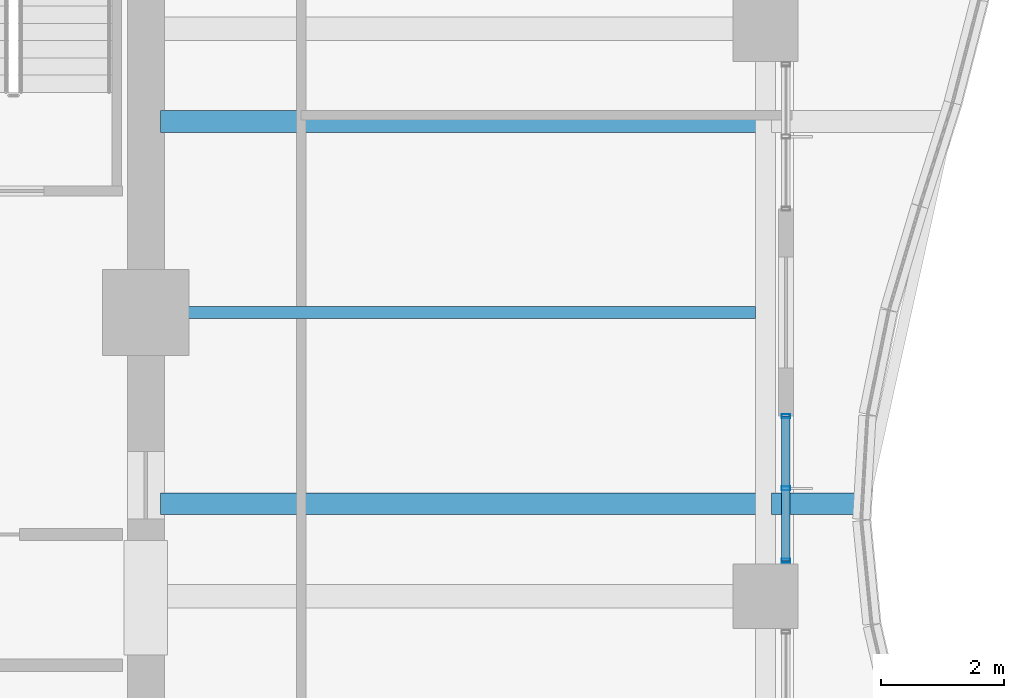
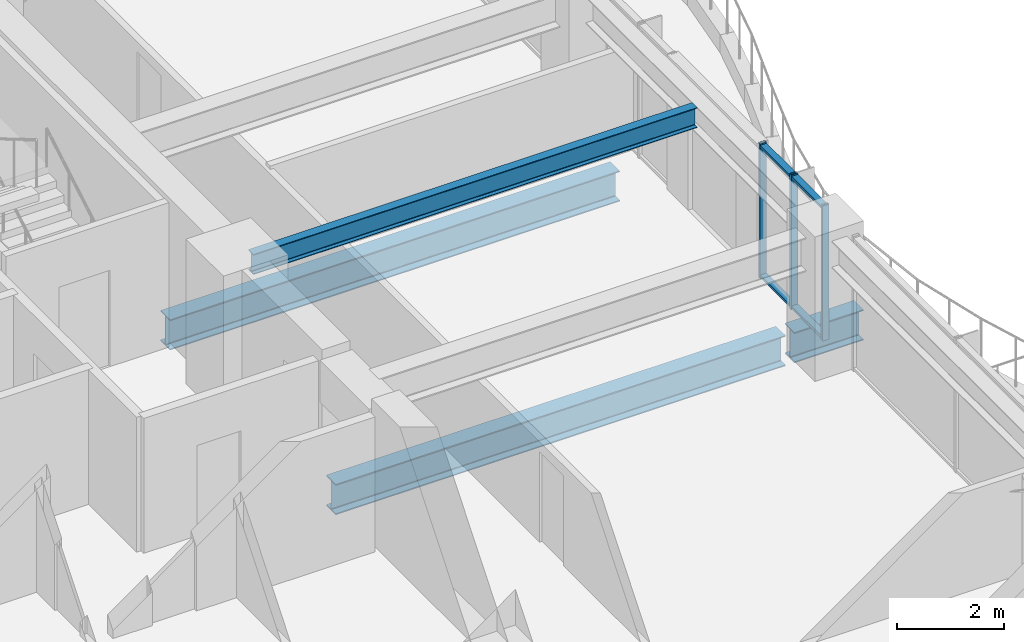
# One storey, part 16 of 36: 5 members, 4 beams, 1 element without a shape of its own.
"""IFC4 building model written with IfcOpenShell, lengths in metres."""

import ifcopenshell
import ifcopenshell.guid

model = None  # the IFC model being written
_history = None  # IfcOwnerHistory: only IFC2X3 demands one
_inside = {}  # id of a spatial element -> (the spatial element, [elements in it])
_under = {}  # id of a project, library or spatial element -> (it, [spatial elements below it])
_declared = {}  # id of a project -> (the project, [libraries it declares])
_typed = {}  # id of a type object -> (the type object, [elements of that type])
_made_of = {}  # id of a material, layer set ... -> (it, [elements and type objects made of it])


def new_model(schema):
    """Start an empty IFC model of exactly this schema.

    Asked for "IFC4X3", IfcOpenShell would pick the latest addendum, in which some entities
    have other attributes; the version numbers below select the first issue.
    IFC2X3 requires an IfcOwnerHistory on every rooted entity: one is made here for all.
    """
    global model, _history
    if schema == "IFC4X3":
        model = ifcopenshell.file(schema_version=(4, 3, 0, 0))
    else:
        model = ifcopenshell.file(schema=schema)
    _inside.clear()
    _under.clear()
    _declared.clear()
    _typed.clear()
    _made_of.clear()
    _history = None
    if model.schema == "IFC2X3":
        org = make("IfcOrganization", Name="unknown")
        user = make(
            "IfcPersonAndOrganization",
            ThePerson=make("IfcPerson", FamilyName="unknown"),
            TheOrganization=org,
        )
        app = make(
            "IfcApplication",
            ApplicationDeveloper=org,
            Version="unknown",
            ApplicationFullName="unknown",
            ApplicationIdentifier="unknown",
        )
        _history = make(
            "IfcOwnerHistory",
            OwningUser=user,
            OwningApplication=app,
            ChangeAction="ADDED",
            CreationDate=0,
        )
    return model


def make(cls, **values):
    """One entity of the class cls with the attributes given. An attribute that is None is left unset."""
    return model.create_entity(
        cls, **{name: value for name, value in values.items() if value is not None}
    )


def rooted(cls, **values):
    """An entity with a GlobalId (a new one), such as an element, a storey or a relation."""
    return make(cls, GlobalId=ifcopenshell.guid.new(), OwnerHistory=_history, **values)


def si_unit(unit_type, name, prefix=None):
    """IfcSIUnit, for example si_unit("LENGTHUNIT", "METRE", prefix="MILLI")."""
    return make("IfcSIUnit", UnitType=unit_type, Prefix=prefix, Name=name)


def assignment(units):
    """IfcUnitAssignment: the units of a project."""
    return None if units is None else make("IfcUnitAssignment", Units=units)


def point(xyz):
    """IfcCartesianPoint."""
    return None if xyz is None else make("IfcCartesianPoint", Coordinates=xyz)


def direction(xyz):
    """IfcDirection."""
    return None if xyz is None else make("IfcDirection", DirectionRatios=xyz)


def frame(location, z_axis=None, x_axis=None):
    """IfcAxis2Placement3D, a coordinate frame: its origin and axes. An axis left out is left unset."""
    return make(
        "IfcAxis2Placement3D",
        Location=point(location),
        Axis=direction(z_axis),
        RefDirection=direction(x_axis),
    )


def frame_2d(location, x_axis=None):
    """IfcAxis2Placement2D, a coordinate frame in the plane: its origin and x axis."""
    return make(
        "IfcAxis2Placement2D", Location=point(location), RefDirection=direction(x_axis)
    )


def origin():
    """The frame at (0, 0, 0) with its axes left unset."""
    return frame((0.0, 0.0, 0.0))


def origin_2d():
    """The frame at (0, 0) in the plane with its x axis left unset."""
    return frame_2d((0.0, 0.0))


def place(relative_to, where):
    """IfcLocalPlacement: puts the frame where relative to a parent placement (None: the world)."""
    return make(
        "IfcLocalPlacement", PlacementRelTo=relative_to, RelativePlacement=where
    )


def context(
    kind, dimensions, precision=None, world=None, true_north=None, identifier=None
):
    """IfcGeometricRepresentationContext, for example the 3D "Model" context."""
    return make(
        "IfcGeometricRepresentationContext",
        ContextIdentifier=identifier,
        ContextType=kind,
        CoordinateSpaceDimension=dimensions,
        Precision=precision,
        WorldCoordinateSystem=world,
        TrueNorth=true_north,
    )


def subcontext(parent, identifier, kind, view, scale=None):
    """IfcGeometricRepresentationSubContext, for example "Body" below "Model"."""
    return make(
        "IfcGeometricRepresentationSubContext",
        ContextIdentifier=identifier,
        ContextType=kind,
        ParentContext=parent,
        TargetScale=scale,
        TargetView=view,
    )


def project(units=None, contexts=None):
    """IfcProject with its units and contexts."""
    return rooted(
        "IfcProject",
        Name="project",
        RepresentationContexts=contexts,
        UnitsInContext=assignment(units),
    )


def spatial(cls, under=None, at=None, **own):
    """A site, building, storey or space (cls), placed at a placement, below another one or the project."""
    s = rooted(cls, ObjectPlacement=at, **own)
    if under is not None:
        _under.setdefault(under.id(), (under, []))[1].append(s)
    return s


def profile(cls, at=None, kind="AREA", **sizes):
    """A parametric profile (cls). Its sizes go by their IFC names, for example OverallWidth=200.0."""
    return make(cls, ProfileType=kind, Position=at, **sizes)


def hollow_rectangle(**sizes):
    """IfcRectangleHollowProfileDef."""
    return profile("IfcRectangleHollowProfileDef", **sizes)


def i_section(**sizes):
    """IfcIShapeProfileDef."""
    return profile("IfcIShapeProfileDef", **sizes)


def extrude(swept, where, along, depth):
    """IfcExtrudedAreaSolid: the profile swept, set in the frame where, extruded along a direction by depth."""
    return make(
        "IfcExtrudedAreaSolid",
        SweptArea=swept,
        Position=where,
        ExtrudedDirection=direction(along),
        Depth=depth,
    )


def shape(context_of_items, identifier, shape_type, items):
    """IfcShapeRepresentation: the items that make up one representation, for example the "Body"."""
    return make(
        "IfcShapeRepresentation",
        ContextOfItems=context_of_items,
        RepresentationIdentifier=identifier,
        RepresentationType=shape_type,
        Items=items,
    )


def material(Name=None, Category=None):
    """IfcMaterial."""
    return make("IfcMaterial", Name=Name, Category=Category)


def material_profile(
    of_material, cross_section, Name=None, Category=None, Priority=None
):
    """IfcMaterialProfile: a cross section and its material."""
    return make(
        "IfcMaterialProfile",
        Name=Name,
        Material=of_material,
        Profile=cross_section,
        Priority=Priority,
        Category=Category,
    )


def profile_set(profiles, Name=None, composite=None):
    """IfcMaterialProfileSet."""
    return make(
        "IfcMaterialProfileSet",
        Name=Name,
        MaterialProfiles=profiles,
        CompositeProfile=composite,
    )


def made_of(thing, what):
    """Note that an element or type object is made of a material, layer set ...; save() writes the relation."""
    if what is not None:
        _made_of.setdefault(what.id(), (what, []))[1].append(thing)
    return thing


def type_object(cls, material=None, **own):
    """A type object (cls), such as IfcWallType, which elements share."""
    return made_of(rooted(cls, **own), material)


def element(
    cls,
    number,
    at=None,
    inside=None,
    cuts=None,
    type_object=None,
    material=None,
    context=None,
    identifier="Body",
    shape_type=None,
    held_by="IfcProductDefinitionShape",
    body=None,
    shapes=None,
    **own,
):
    """One element of the class cls, such as IfcWall. Its Tag is "e" and its number.

    at: its placement. inside: the storey or other place that contains it. cuts: it is an
    opening in that element (IfcRelVoidsElement). A single representation is given by context,
    identifier, shape_type and body (its items); several are given by shapes. held_by: the class
    of the entity that holds the representations. save() writes the other relations.
    """
    e = rooted(cls, Tag="e%d" % number, ObjectPlacement=at, **own)
    if body is not None:
        shapes = [shape(context, identifier, shape_type, body)]
    if shapes is not None:
        e.Representation = make(held_by, Representations=shapes)
    if inside is not None:
        _inside.setdefault(inside.id(), (inside, []))[1].append(e)
    if cuts is not None:
        rooted(
            "IfcRelVoidsElement", RelatingBuildingElement=cuts, RelatedOpeningElement=e
        )
    if type_object is not None:
        _typed.setdefault(type_object.id(), (type_object, []))[1].append(e)
    return made_of(e, material)


def aggregate(whole, parts):
    """IfcRelAggregates: a whole, such as a stair, and the parts it consists of."""
    return rooted("IfcRelAggregates", RelatingObject=whole, RelatedObjects=parts)


def save(model, path):
    """Write the relations noted so far, then the file.

    IfcRelAggregates (storeys below a building ...), IfcRelContainedInSpatialStructure (elements
    in a storey), IfcRelDefinesByType, IfcRelAssociatesMaterial and IfcRelDeclares: one each for
    every whole, place, type object, material and project.
    """
    for whole, parts in _under.values():
        aggregate(whole, parts)
    for where, things in _inside.values():
        rooted(
            "IfcRelContainedInSpatialStructure",
            RelatedElements=things,
            RelatingStructure=where,
        )
    for kind, things in _typed.values():
        rooted("IfcRelDefinesByType", RelatedObjects=things, RelatingType=kind)
    for what, things in _made_of.values():
        rooted("IfcRelAssociatesMaterial", RelatedObjects=things, RelatingMaterial=what)
    for by, libraries in _declared.values():
        rooted("IfcRelDeclares", RelatingContext=by, RelatedDefinitions=libraries)
    model.write(path)


model = new_model("IFC4")

# Units and contexts
model_context = context("Model", 3, precision=1e-05, world=origin(), true_north=direction((0.0, 1.0)))
body_context = subcontext(model_context, "Body", "Model", "MODEL_VIEW")
ifc_project = project(units=[si_unit("LENGTHUNIT", "METRE"), si_unit("AREAUNIT", "SQUARE_METRE"), si_unit("VOLUMEUNIT", "CUBIC_METRE"), si_unit("PLANEANGLEUNIT", "RADIAN"), si_unit("MASSUNIT", "GRAM", prefix="KILO")], contexts=[model_context])

# Site, building, storey
site_placement = place(None, origin())
site = spatial("IfcSite", under=ifc_project, at=site_placement, CompositionType="ELEMENT")
building_placement = place(site_placement, origin())
building = spatial("IfcBuilding", under=site, at=building_placement, Name="Kolvaren Belvedere", CompositionType="ELEMENT")
storey_placement = place(building_placement, frame((0.0, 0.0, 88.699951171875)))
storey = spatial("IfcBuildingStorey", under=building, at=storey_placement, Name="L25", CompositionType="ELEMENT", Elevation=88.699951171875)

# Beams
ifc_material_1 = material(Name="Structural steel ASTM A992 Grade 50", Category="steel")
ifc_material_profile_1 = material_profile(ifc_material_1, i_section(OverallWidth=0.35498046875, OverallDepth=0.696044921875, WebThickness=0.015380859375, FlangeThickness=0.02490234375, FilletRadius=0.02197265625, at=origin_2d()), Name="W27X146")
ifc_profile_set_1 = profile_set([ifc_material_profile_1], Name="Structural steel ASTM A992 Grade 50")
beam_type_1 = type_object("IfcBeamType", Name="BM-CANT-BAL", PredefinedType="BEAM", material=ifc_profile_set_1)
beam_1_placement = place(storey_placement, frame((20.044921875, -3.10009765625, -0.56787109375), z_axis=(1.0, 0.0, 0.0), x_axis=(0.0, 1.0, 0.0)))
element("IfcBeam", 1, at=beam_1_placement, inside=storey, type_object=beam_type_1, Name="L25 Planted Balcony Cantilever BAL-E-1", PredefinedType="BEAM", context=body_context, shape_type="SweptSolid", body=[
    extrude(i_section(OverallWidth=0.35498046875, OverallDepth=0.696044921875, WebThickness=0.015380859375, FlangeThickness=0.02490234375, FilletRadius=0.02197265625, at=origin_2d()), origin(), (0.0, 0.0, 1.0), 1.49267578125),
])
ifc_material_2 = material(Name="Structural steel ASTM A992 Grade 50", Category="steel")
ifc_material_profile_2 = material_profile(ifc_material_2, i_section(OverallWidth=0.35498046875, OverallDepth=0.696044921875, WebThickness=0.015380859375, FlangeThickness=0.02490234375, FilletRadius=0.02197265625, at=origin_2d()), Name="W27X146")
ifc_profile_set_2 = profile_set([ifc_material_profile_2], Name="Structural steel ASTM A992 Grade 50")
beam_type_2 = type_object("IfcBeamType", Name="BM-GIRD-W27X146", PredefinedType="BEAM", material=ifc_profile_set_2)
for number, where, z_axis, x_axis, name in (
    (2, (10.139892578125, -3.10009765625, -0.56787109375), (1.0, 0.0, 0.0), (0.0, 1.0, 0.0), "L25 Balcony Interior Back-Span Girder BAL-E-1"),
    (3, (10.139892578125, 3.10009765625, -0.56787109375), (1.0, 0.0, 0.0), (0.0, 1.0, 0.0), "L25 Balcony Interior Back-Span Girder BAL-E-2"),
):
    element("IfcBeam", number, at=place(storey_placement, frame(where, z_axis=z_axis, x_axis=x_axis)), inside=storey, type_object=beam_type_2, Name=name, PredefinedType="BEAM", context=body_context, shape_type="SweptSolid", body=[
        extrude(i_section(OverallWidth=0.35498046875, OverallDepth=0.696044921875, WebThickness=0.015380859375, FlangeThickness=0.02490234375, FilletRadius=0.02197265625, at=origin_2d()), origin(), (0.0, 0.0, 1.0), 9.715087890625),
    ])
ifc_material_3 = material(Name="Structural steel ASTM A992 Grade 50", Category="steel")
ifc_material_profile_3 = material_profile(ifc_material_3, i_section(OverallWidth=0.19091796875, OverallDepth=0.4599609375, WebThickness=0.010009765625, FlangeThickness=0.01611328125, FilletRadius=0.014892578125, at=origin_2d()), Name="W18X55")
ifc_profile_set_3 = profile_set([ifc_material_profile_3], Name="Structural steel ASTM A992 Grade 50")
beam_type_3 = type_object("IfcBeamType", Name="BM-JOIST-W18X55", PredefinedType="BEAM", material=ifc_profile_set_3)
beam_2_placement = place(storey_placement, frame((10.199951171875, 0.0, 2.85009765625), z_axis=(1.0, 0.0, 0.0), x_axis=(0.0, 1.0, 0.0)))
element("IfcBeam", 4, at=beam_2_placement, inside=storey, type_object=beam_type_3, Name="L25 East Centre Floor Beam", PredefinedType="BEAM", context=body_context, shape_type="SweptSolid", body=[
    extrude(i_section(OverallWidth=0.19091796875, OverallDepth=0.4599609375, WebThickness=0.010009765625, FlangeThickness=0.01611328125, FilletRadius=0.014892578125, at=origin_2d()), origin(), (0.0, 0.0, 1.0), 9.587646484375),
])

# Curtain wall, members
ifc_material_4 = material(Name="Anodised pale-metal aluminium AA 6063-T6", Category="aluminium")
curtain_wall_type = type_object("IfcCurtainWallType", Name="CW-Z2-MID", PredefinedType="NOTDEFINED", material=ifc_material_4)
curtain_wall_placement = place(storey_placement, origin())
curtain_wall = element("IfcCurtainWall", 5, at=curtain_wall_placement, inside=storey, type_object=curtain_wall_type, Name="L25 Unitised Curtain Wall FCW-L25-E2-B1", PredefinedType="NOTDEFINED")
ifc_material_5 = material(Name="Anodised pale-metal aluminium AA 6063-T6", Category="aluminium")
ifc_material_profile_4 = material_profile(ifc_material_5, hollow_rectangle(XDim=0.06494140625, YDim=0.139892578125, WallThickness=0.00390625, at=origin_2d()), Name="ALU-MUL-140X65")
ifc_profile_set_4 = profile_set([ifc_material_profile_4], Name="Anodised pale-metal aluminium AA 6063-T6")
member_type_1 = type_object("IfcMemberType", Name="CW-MUL-140", PredefinedType="MULLION", material=ifc_profile_set_4)
member_1_placement = place(storey_placement, frame((20.280029296875, -1.679931640625, 0.0), z_axis=(0.0, 0.0, 1.0), x_axis=(0.0, 1.0, 0.0)))
member_1 = element("IfcMember", 6, at=member_1_placement, type_object=member_type_1, Name="FCW-L25-E2-B1 Unitised Mullion 1", PredefinedType="MULLION", context=body_context, shape_type="SweptSolid", body=[
    extrude(hollow_rectangle(XDim=0.06494140625, YDim=0.139892578125, WallThickness=0.00390625, at=origin_2d()), origin(), (0.0, 0.0, 1.0), 3.080078125),
])
member_2_placement = place(storey_placement, frame((20.280029296875, -2.851318359375, 0.0), z_axis=(0.0, 0.0, 1.0), x_axis=(0.0, 1.0, 0.0)))
member_2 = element("IfcMember", 7, at=member_2_placement, type_object=member_type_1, Name="FCW-L25-E2-B1 Unitised Mullion 2", PredefinedType="MULLION", context=body_context, shape_type="SweptSolid", body=[
    extrude(hollow_rectangle(XDim=0.06494140625, YDim=0.139892578125, WallThickness=0.00390625, at=origin_2d()), origin(), (0.0, 0.0, 1.0), 3.080078125),
])
member_3_placement = place(storey_placement, frame((20.280029296875, -4.0224609375, 0.0), z_axis=(0.0, 0.0, 1.0), x_axis=(0.0, 1.0, 0.0)))
member_3 = element("IfcMember", 8, at=member_3_placement, type_object=member_type_1, Name="FCW-L25-E2-B1 Unitised Mullion 3", PredefinedType="MULLION", context=body_context, shape_type="SweptSolid", body=[
    extrude(hollow_rectangle(XDim=0.06494140625, YDim=0.139892578125, WallThickness=0.00390625, at=origin_2d()), origin(), (0.0, 0.0, 1.0), 3.080078125),
])
ifc_material_6 = material(Name="Anodised pale-metal aluminium AA 6063-T6", Category="aluminium")
ifc_material_profile_5 = material_profile(ifc_material_6, hollow_rectangle(XDim=0.06005859375, YDim=0.139892578125, WallThickness=0.00390625, at=origin_2d()), Name="ALU-TRN-140X60")
ifc_profile_set_5 = profile_set([ifc_material_profile_5], Name="Anodised pale-metal aluminium AA 6063-T6")
member_type_2 = type_object("IfcMemberType", Name="CW-TRN-140", PredefinedType="USERDEFINED", material=ifc_profile_set_5)
member_4_placement = place(storey_placement, frame((20.280029296875, -1.679931640625, 0.06005859375), z_axis=(0.0, -1.0, 0.0), x_axis=(0.0, 0.0, 1.0)))
member_4 = element("IfcMember", 9, at=member_4_placement, type_object=member_type_2, Name="FCW-L25-E2-B1 Sill Transom", ObjectType="TRANSOM", PredefinedType="USERDEFINED", context=body_context, shape_type="SweptSolid", body=[
    extrude(hollow_rectangle(XDim=0.06005859375, YDim=0.139892578125, WallThickness=0.00390625, at=origin_2d()), origin(), (0.0, 0.0, 1.0), 2.342529296875),
])
member_5_placement = place(storey_placement, frame((20.280029296875, -1.679931640625, 3.02001953125), z_axis=(0.0, -1.0, 0.0), x_axis=(0.0, 0.0, 1.0)))
member_5 = element("IfcMember", 10, at=member_5_placement, type_object=member_type_2, Name="FCW-L25-E2-B1 Head Transom", ObjectType="TRANSOM", PredefinedType="USERDEFINED", context=body_context, shape_type="SweptSolid", body=[
    extrude(hollow_rectangle(XDim=0.06005859375, YDim=0.139892578125, WallThickness=0.00390625, at=origin_2d()), origin(), (0.0, 0.0, 1.0), 2.342529296875),
])
aggregate(curtain_wall, [member_1, member_2, member_3, member_4, member_5])

save(model, "model.ifc")
